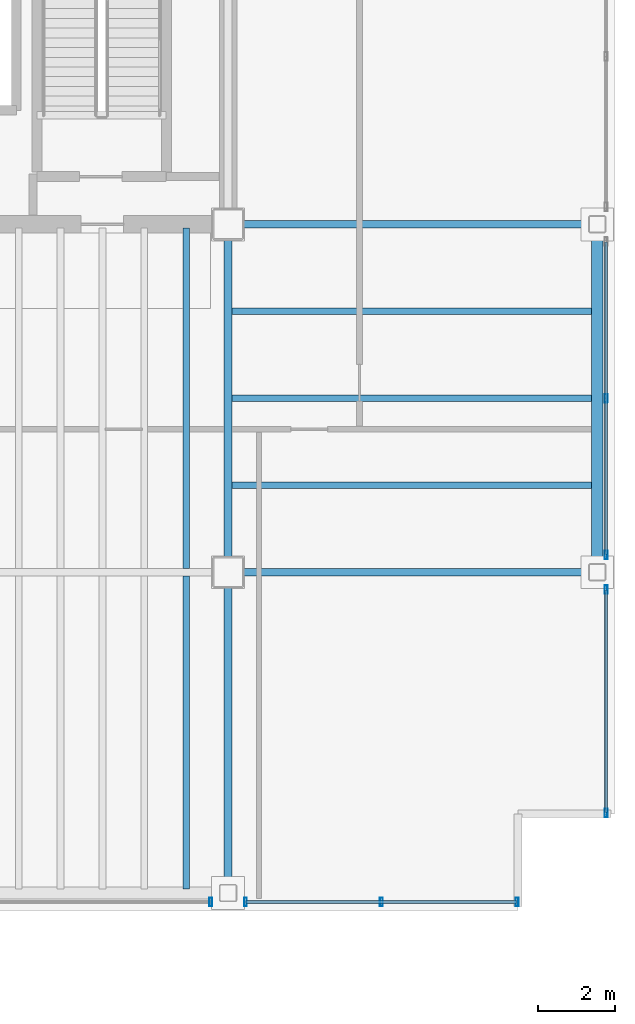
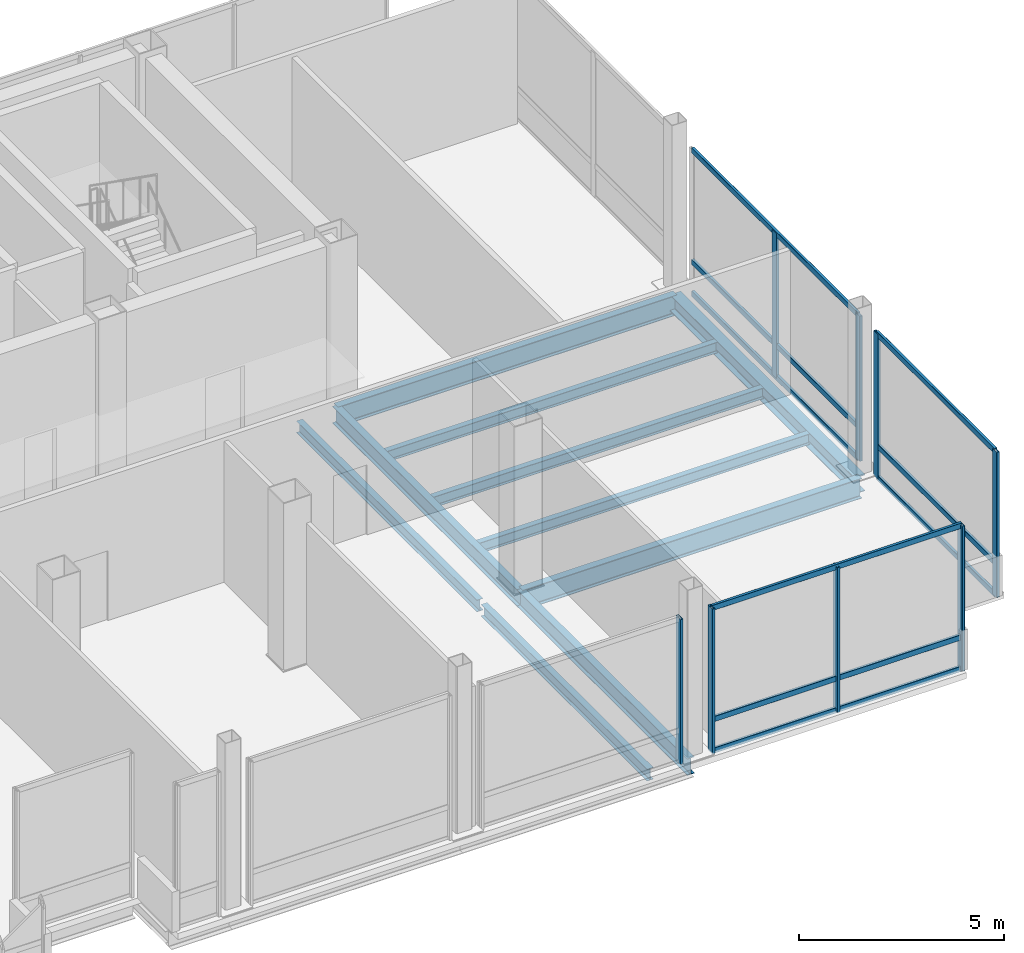
# One storey, part 10 of 15: 17 members, 10 beams, 4 elements without a shape of their own.
"""IFC4 building model written with IfcOpenShell, lengths in metres."""

from ifc_helpers import new_model, si_unit, direction, frame, origin, origin_2d, place, context, subcontext, project, spatial, hollow_rectangle, i_section, extrude, material, material_profile, profile_set, type_object, element, aggregate, save


model = new_model("IFC4")

# Units and contexts
model_context = context("Model", 3, precision=1e-05, world=origin(), true_north=direction((0.0, 1.0)))
body_context = subcontext(model_context, "Body", "Model", "MODEL_VIEW")
ifc_project = project(units=[si_unit("LENGTHUNIT", "METRE"), si_unit("AREAUNIT", "SQUARE_METRE"), si_unit("VOLUMEUNIT", "CUBIC_METRE"), si_unit("PLANEANGLEUNIT", "RADIAN"), si_unit("MASSUNIT", "GRAM", prefix="KILO")], contexts=[model_context])

# Site, building, storey
site_placement = place(None, origin())
site = spatial("IfcSite", under=ifc_project, at=site_placement, CompositionType="ELEMENT")
building_placement = place(site_placement, origin())
building = spatial("IfcBuilding", under=site, at=building_placement, Name="Noeulbin Bourse Tower", CompositionType="ELEMENT")
storey_placement = place(building_placement, frame((0.0, 0.0, 206.10009765625)))
storey = spatial("IfcBuildingStorey", under=building, at=storey_placement, Name="L51", CompositionType="ELEMENT", Elevation=206.10009765625)

# Beams
ifc_material_1 = material(Name="Steel S355", Category="steel")
ifc_material_profile_1 = material_profile(ifc_material_1, i_section(OverallWidth=0.199951171875, OverallDepth=0.5, WebThickness=0.010009765625, FlangeThickness=0.01611328125, FilletRadius=0.02001953125, at=origin_2d()), Name="H-500x200x10x16", Category="LoadBearing")
ifc_profile_set_1 = profile_set([ifc_material_profile_1], Name="Steel S355")
beam_type_1 = type_object("IfcBeamType", Name="BM-GRD-500", PredefinedType="USERDEFINED", material=ifc_profile_set_1)
beam_1_placement = place(storey_placement, frame((44.0, 11.699951171875, -0.43017578125), z_axis=(0.0, 1.0, 0.0), x_axis=(-1.0, 0.0, 0.0)))
element("IfcBeam", 1, at=beam_1_placement, inside=storey, type_object=beam_type_1, Name="Tower Primary Girder NS L51-5.1", ObjectType="GIRDER", PredefinedType="USERDEFINED", context=body_context, shape_type="SweptSolid", body=[
    extrude(i_section(OverallWidth=0.199951171875, OverallDepth=0.5, WebThickness=0.010009765625, FlangeThickness=0.01611328125, FilletRadius=0.02001953125, at=origin_2d()), origin(), (0.0, 0.0, 1.0), 8.300048828125),
])
beam_2_placement = place(storey_placement, frame((44.0, 20.0, -0.43017578125), z_axis=(0.0, 1.0, 0.0), x_axis=(-1.0, 0.0, 0.0)))
element("IfcBeam", 2, at=beam_2_placement, inside=storey, type_object=beam_type_1, Name="Tower Primary Girder NS L51-5.2", ObjectType="GIRDER", PredefinedType="USERDEFINED", context=body_context, shape_type="SweptSolid", body=[
    extrude(i_section(OverallWidth=0.199951171875, OverallDepth=0.5, WebThickness=0.010009765625, FlangeThickness=0.01611328125, FilletRadius=0.02001953125, at=origin_2d()), origin(), (0.0, 0.0, 1.0), 9.0),
])
ifc_material_profile_2 = material_profile(ifc_material_1, i_section(OverallWidth=0.199951171875, OverallDepth=0.60009765625, WebThickness=0.010986328125, FlangeThickness=0.01708984375, FilletRadius=0.02197265625, at=origin_2d()), Name="H-600x200x11x17", Category="LoadBearing")
ifc_profile_set_2 = profile_set([ifc_material_profile_2], Name="Steel S355")
beam_type_2 = type_object("IfcBeamType", Name="BM-GRD-600", PredefinedType="USERDEFINED", material=ifc_profile_set_2)
for number, where, z_axis, x_axis, name in (
    (3, (44.0, 20.0, -0.47998046875), (1.0, 0.0, 0.0), (0.0, 1.0, 0.0), "Tower Primary Girder EW L51-1.6"),
    (4, (44.0, 29.0, -0.47998046875), (1.0, 0.0, 0.0), (0.0, 1.0, 0.0), "Tower Primary Girder EW L51-2.6"),
):
    element("IfcBeam", number, at=place(storey_placement, frame(where, z_axis=z_axis, x_axis=x_axis)), inside=storey, type_object=beam_type_2, Name=name, ObjectType="GIRDER", PredefinedType="USERDEFINED", context=body_context, shape_type="SweptSolid", body=[
        extrude(i_section(OverallWidth=0.199951171875, OverallDepth=0.60009765625, WebThickness=0.010986328125, FlangeThickness=0.01708984375, FilletRadius=0.02197265625, at=origin_2d()), origin(), (0.0, 0.0, 1.0), 9.550048828125),
    ])
ifc_material_profile_3 = material_profile(ifc_material_1, i_section(OverallWidth=0.159912109375, OverallDepth=0.320068359375, WebThickness=0.006591796875, FlangeThickness=0.010009765625, FilletRadius=0.012939453125, at=origin_2d()), Name="H-320x160x6.5x10", Category="LoadBearing")
ifc_profile_set_3 = profile_set([ifc_material_profile_3], Name="Steel S355")
beam_type_3 = type_object("IfcBeamType", Name="BM-JST-320", PredefinedType="JOIST", material=ifc_profile_set_3)
for number, where, z_axis, x_axis, name in (
    (5, (44.10009765625, 22.25, -0.340087890625), (1.0, 0.0, 0.0), (0.0, 1.0, 0.0), "Wing Composite Joist L51-E50"),
    (6, (44.10009765625, 24.5, -0.340087890625), (1.0, 0.0, 0.0), (0.0, 1.0, 0.0), "Wing Composite Joist L51-E51"),
    (7, (44.10009765625, 26.75, -0.340087890625), (1.0, 0.0, 0.0), (0.0, 1.0, 0.0), "Wing Composite Joist L51-E52"),
):
    element("IfcBeam", number, at=place(storey_placement, frame(where, z_axis=z_axis, x_axis=x_axis)), inside=storey, type_object=beam_type_3, Name=name, PredefinedType="JOIST", context=body_context, shape_type="SweptSolid", body=[
        extrude(i_section(OverallWidth=0.159912109375, OverallDepth=0.320068359375, WebThickness=0.006591796875, FlangeThickness=0.010009765625, FilletRadius=0.012939453125, at=origin_2d()), origin(), (0.0, 0.0, 1.0), 9.2998046875),
    ])
ifc_material_profile_4 = material_profile(ifc_material_1, i_section(OverallWidth=0.175048828125, OverallDepth=0.35009765625, WebThickness=0.007080078125, FlangeThickness=0.010986328125, FilletRadius=0.013916015625, at=origin_2d()), Name="H-350x175x7x11", Category="LoadBearing")
ifc_profile_set_4 = profile_set([ifc_material_profile_4], Name="Steel S355")
beam_type_4 = type_object("IfcBeamType", Name="BM-JST-350", PredefinedType="JOIST", material=ifc_profile_set_4)
beam_3_placement = place(storey_placement, frame((42.916748046875, 11.800048828125, -0.35498046875), z_axis=(0.0, 1.0, 0.0), x_axis=(-1.0, 0.0, 0.0)))
element("IfcBeam", 8, at=beam_3_placement, inside=storey, type_object=beam_type_4, Name="Tower Composite Joist L51-45", PredefinedType="JOIST", context=body_context, shape_type="SweptSolid", body=[
    extrude(i_section(OverallWidth=0.175048828125, OverallDepth=0.35009765625, WebThickness=0.007080078125, FlangeThickness=0.010986328125, FilletRadius=0.013916015625, at=origin_2d()), origin(), (0.0, 0.0, 1.0), 8.099853515625),
])
beam_4_placement = place(storey_placement, frame((42.916748046875, 20.10009765625, -0.35498046875), z_axis=(0.0, 1.0, 0.0), x_axis=(-1.0, 0.0, 0.0)))
element("IfcBeam", 9, at=beam_4_placement, inside=storey, type_object=beam_type_4, Name="Tower Composite Joist L51-46", PredefinedType="JOIST", context=body_context, shape_type="SweptSolid", body=[
    extrude(i_section(OverallWidth=0.175048828125, OverallDepth=0.35009765625, WebThickness=0.007080078125, FlangeThickness=0.010986328125, FilletRadius=0.013916015625, at=origin_2d()), origin(), (0.0, 0.0, 1.0), 8.7998046875),
])
ifc_material_profile_5 = material_profile(ifc_material_1, i_section(OverallWidth=0.300048828125, OverallDepth=0.488037109375, WebThickness=0.010986328125, FlangeThickness=0.01806640625, FilletRadius=0.02197265625, at=origin_2d()), Name="H-488x300x11x18", Category="LoadBearing")
ifc_profile_set_5 = profile_set([ifc_material_profile_5], Name="Steel S355")
beam_type_5 = type_object("IfcBeamType", Name="BM-SPN-488", PredefinedType="SPANDREL", material=ifc_profile_set_5)
beam_5_placement = place(storey_placement, frame((53.550048828125, 20.0, -0.424072265625), z_axis=(0.0, 1.0, 0.0), x_axis=(-1.0, 0.0, 0.0)))
element("IfcBeam", 10, at=beam_5_placement, inside=storey, type_object=beam_type_5, Name="East Spandrel L51-1", PredefinedType="SPANDREL", context=body_context, shape_type="SweptSolid", body=[
    extrude(i_section(OverallWidth=0.300048828125, OverallDepth=0.488037109375, WebThickness=0.010986328125, FlangeThickness=0.01806640625, FilletRadius=0.02197265625, at=origin_2d()), origin(), (0.0, 0.0, 1.0), 9.0),
])

# Curtain wall, member
ifc_material_2 = material(Name="High-Selectivity Low-Iron Glazing", Category="glass")
curtain_wall_type = type_object("IfcCurtainWallType", Name="CW-SYS-4", PredefinedType="NOTDEFINED", material=ifc_material_2)
curtain_wall_1_placement = place(storey_placement, origin())
curtain_wall_1 = element("IfcCurtainWall", 11, at=curtain_wall_1_placement, inside=storey, type_object=curtain_wall_type, Name="Unitised Curtain Wall CW-L51-S3-S3", PredefinedType="NOTDEFINED")
ifc_material_3 = material(Name="Anodised Aluminium 6063-T6", Category="aluminium")
ifc_material_profile_6 = material_profile(ifc_material_3, hollow_rectangle(XDim=0.074951171875, YDim=0.219970703125, WallThickness=0.0048828125, InnerFilletRadius=0.00244140625, OuterFilletRadius=0.0048828125, at=origin_2d()), Name="ALU-MULL-75x220x5", Category="LoadBearing")
ifc_profile_set_6 = profile_set([ifc_material_profile_6], Name="Anodised Aluminium 6063-T6")
member_type_1 = type_object("IfcMemberType", Name="CW-SYS-4-MUL", PredefinedType="MULLION", material=ifc_profile_set_6)
member_1_placement = place(storey_placement, frame((43.550048828125, 11.469970703125, -0.02001953125), z_axis=(0.0, 0.0, 1.0), x_axis=(1.0, 0.0, 0.0)))
member_1 = element("IfcMember", 12, at=member_1_placement, type_object=member_type_1, Name="Curtain Wall Mullion CW-L51-S3-S3-M01", PredefinedType="MULLION", context=body_context, shape_type="SweptSolid", body=[
    extrude(hollow_rectangle(XDim=0.074951171875, YDim=0.219970703125, WallThickness=0.0048828125, InnerFilletRadius=0.00244140625, OuterFilletRadius=0.0048828125, at=origin_2d()), origin(), (0.0, 0.0, 1.0), 4.31982421875),
])
aggregate(curtain_wall_1, [member_1])

# Curtain wall, members
curtain_wall_2_placement = place(storey_placement, origin())
curtain_wall_2 = element("IfcCurtainWall", 13, at=curtain_wall_2_placement, inside=storey, type_object=curtain_wall_type, Name="Unitised Curtain Wall CW-L51-S3-S4", PredefinedType="NOTDEFINED")
member_2_placement = place(storey_placement, frame((44.449951171875, 11.469970703125, -0.02001953125), z_axis=(0.0, 0.0, 1.0), x_axis=(1.0, 0.0, 0.0)))
member_2 = element("IfcMember", 14, at=member_2_placement, type_object=member_type_1, Name="Curtain Wall Mullion CW-L51-S3-S4-M00", PredefinedType="MULLION", context=body_context, shape_type="SweptSolid", body=[
    extrude(hollow_rectangle(XDim=0.074951171875, YDim=0.219970703125, WallThickness=0.0048828125, InnerFilletRadius=0.00244140625, OuterFilletRadius=0.0048828125, at=origin_2d()), origin(), (0.0, 0.0, 1.0), 4.31982421875),
])
member_3_placement = place(storey_placement, frame((47.965087890625, 11.469970703125, -0.02001953125), z_axis=(0.0, 0.0, 1.0), x_axis=(1.0, 0.0, 0.0)))
member_3 = element("IfcMember", 15, at=member_3_placement, type_object=member_type_1, Name="Curtain Wall Mullion CW-L51-S3-S4-M01", PredefinedType="MULLION", context=body_context, shape_type="SweptSolid", body=[
    extrude(hollow_rectangle(XDim=0.074951171875, YDim=0.219970703125, WallThickness=0.0048828125, InnerFilletRadius=0.00244140625, OuterFilletRadius=0.0048828125, at=origin_2d()), origin(), (0.0, 0.0, 1.0), 4.31982421875),
])
member_4_placement = place(storey_placement, frame((51.47998046875, 11.469970703125, -0.02001953125), z_axis=(0.0, 0.0, 1.0), x_axis=(1.0, 0.0, 0.0)))
member_4 = element("IfcMember", 16, at=member_4_placement, type_object=member_type_1, Name="Curtain Wall Mullion CW-L51-S3-S4-M02", PredefinedType="MULLION", context=body_context, shape_type="SweptSolid", body=[
    extrude(hollow_rectangle(XDim=0.074951171875, YDim=0.219970703125, WallThickness=0.0048828125, InnerFilletRadius=0.00244140625, OuterFilletRadius=0.0048828125, at=origin_2d()), origin(), (0.0, 0.0, 1.0), 4.31982421875),
])

curtain_wall_3_placement = place(storey_placement, origin())
curtain_wall_3 = element("IfcCurtainWall", 17, at=curtain_wall_3_placement, inside=storey, type_object=curtain_wall_type, Name="Unitised Curtain Wall CW-L51-E-S1", PredefinedType="NOTDEFINED")
member_5_placement = place(storey_placement, frame((53.780029296875, 13.77001953125, -0.02001953125), z_axis=(0.0, 0.0, 1.0), x_axis=(1.0, 0.0, 0.0)))
member_5 = element("IfcMember", 18, at=member_5_placement, type_object=member_type_1, Name="Curtain Wall Mullion CW-L51-E-S1-M00", PredefinedType="MULLION", context=body_context, shape_type="SweptSolid", body=[
    extrude(hollow_rectangle(XDim=0.074951171875, YDim=0.219970703125, WallThickness=0.0048828125, InnerFilletRadius=0.00244140625, OuterFilletRadius=0.0048828125, at=origin_2d()), origin(), (0.0, 0.0, 1.0), 4.31982421875),
])
member_6_placement = place(storey_placement, frame((53.780029296875, 19.550048828125, -0.02001953125), z_axis=(0.0, 0.0, 1.0), x_axis=(1.0, 0.0, 0.0)))
member_6 = element("IfcMember", 19, at=member_6_placement, type_object=member_type_1, Name="Curtain Wall Mullion CW-L51-E-S1-M01", PredefinedType="MULLION", context=body_context, shape_type="SweptSolid", body=[
    extrude(hollow_rectangle(XDim=0.074951171875, YDim=0.219970703125, WallThickness=0.0048828125, InnerFilletRadius=0.00244140625, OuterFilletRadius=0.0048828125, at=origin_2d()), origin(), (0.0, 0.0, 1.0), 4.31982421875),
])

curtain_wall_4_placement = place(storey_placement, origin())
curtain_wall_4 = element("IfcCurtainWall", 20, at=curtain_wall_4_placement, inside=storey, type_object=curtain_wall_type, Name="Unitised Curtain Wall CW-L51-E-S2", PredefinedType="NOTDEFINED")
member_7_placement = place(storey_placement, frame((53.780029296875, 20.449951171875, -0.02001953125), z_axis=(0.0, 0.0, 1.0), x_axis=(1.0, 0.0, 0.0)))
member_7 = element("IfcMember", 21, at=member_7_placement, type_object=member_type_1, Name="Curtain Wall Mullion CW-L51-E-S2-M00", PredefinedType="MULLION", context=body_context, shape_type="SweptSolid", body=[
    extrude(hollow_rectangle(XDim=0.074951171875, YDim=0.219970703125, WallThickness=0.0048828125, InnerFilletRadius=0.00244140625, OuterFilletRadius=0.0048828125, at=origin_2d()), origin(), (0.0, 0.0, 1.0), 4.31982421875),
])
member_8_placement = place(storey_placement, frame((53.780029296875, 24.5, -0.02001953125), z_axis=(0.0, 0.0, 1.0), x_axis=(1.0, 0.0, 0.0)))
member_8 = element("IfcMember", 22, at=member_8_placement, type_object=member_type_1, Name="Curtain Wall Mullion CW-L51-E-S2-M01", PredefinedType="MULLION", context=body_context, shape_type="SweptSolid", body=[
    extrude(hollow_rectangle(XDim=0.074951171875, YDim=0.219970703125, WallThickness=0.0048828125, InnerFilletRadius=0.00244140625, OuterFilletRadius=0.0048828125, at=origin_2d()), origin(), (0.0, 0.0, 1.0), 4.31982421875),
])

# Member
ifc_material_profile_7 = material_profile(ifc_material_3, hollow_rectangle(XDim=0.074951171875, YDim=0.159912109375, WallThickness=0.0048828125, InnerFilletRadius=0.00244140625, OuterFilletRadius=0.0048828125, at=origin_2d()), Name="ALU-TRAN-75x160x5", Category="LoadBearing")
ifc_profile_set_7 = profile_set([ifc_material_profile_7], Name="Anodised Aluminium 6063-T6")
member_type_2 = type_object("IfcMemberType", Name="CW-SYS-4-TRN", PredefinedType="USERDEFINED", material=ifc_profile_set_7)
member_9_placement = place(storey_placement, frame((44.4599609375, 11.469970703125, 0.010009765625), z_axis=(1.0, 0.0, 0.0), x_axis=(0.0, 1.0, 0.0)))
member_9 = element("IfcMember", 23, at=member_9_placement, type_object=member_type_2, Name="Curtain Wall Transom CW-L51-S3-S4-T00", ObjectType="TRANSOM", PredefinedType="USERDEFINED", context=body_context, shape_type="SweptSolid", body=[
    extrude(hollow_rectangle(XDim=0.074951171875, YDim=0.159912109375, WallThickness=0.0048828125, InnerFilletRadius=0.00244140625, OuterFilletRadius=0.0048828125, at=origin_2d()), origin(), (0.0, 0.0, 1.0), 7.010009765625),
])

member_10_placement = place(storey_placement, frame((44.4599609375, 11.469970703125, 0.949951171875), z_axis=(1.0, 0.0, 0.0), x_axis=(0.0, 1.0, 0.0)))
member_10 = element("IfcMember", 24, at=member_10_placement, type_object=member_type_2, Name="Curtain Wall Transom CW-L51-S3-S4-T01", ObjectType="TRANSOM", PredefinedType="USERDEFINED", context=body_context, shape_type="SweptSolid", body=[
    extrude(hollow_rectangle(XDim=0.074951171875, YDim=0.159912109375, WallThickness=0.0048828125, InnerFilletRadius=0.00244140625, OuterFilletRadius=0.0048828125, at=origin_2d()), origin(), (0.0, 0.0, 1.0), 7.010009765625),
])

member_11_placement = place(storey_placement, frame((44.4599609375, 11.469970703125, 4.27001953125), z_axis=(1.0, 0.0, 0.0), x_axis=(0.0, 1.0, 0.0)))
member_11 = element("IfcMember", 25, at=member_11_placement, type_object=member_type_2, Name="Curtain Wall Transom CW-L51-S3-S4-T02", ObjectType="TRANSOM", PredefinedType="USERDEFINED", context=body_context, shape_type="SweptSolid", body=[
    extrude(hollow_rectangle(XDim=0.074951171875, YDim=0.159912109375, WallThickness=0.0048828125, InnerFilletRadius=0.00244140625, OuterFilletRadius=0.0048828125, at=origin_2d()), origin(), (0.0, 0.0, 1.0), 7.010009765625),
])

aggregate(curtain_wall_2, [member_2, member_3, member_4, member_9, member_10, member_11])

member_12_placement = place(storey_placement, frame((53.780029296875, 13.780029296875, 0.010009765625), z_axis=(0.0, 1.0, 0.0), x_axis=(-1.0, 0.0, 0.0)))
member_12 = element("IfcMember", 26, at=member_12_placement, type_object=member_type_2, Name="Curtain Wall Transom CW-L51-E-S1-T00", ObjectType="TRANSOM", PredefinedType="USERDEFINED", context=body_context, shape_type="SweptSolid", body=[
    extrude(hollow_rectangle(XDim=0.074951171875, YDim=0.159912109375, WallThickness=0.0048828125, InnerFilletRadius=0.00244140625, OuterFilletRadius=0.0048828125, at=origin_2d()), origin(), (0.0, 0.0, 1.0), 5.760009765625),
])

member_13_placement = place(storey_placement, frame((53.780029296875, 13.780029296875, 0.949951171875), z_axis=(0.0, 1.0, 0.0), x_axis=(-1.0, 0.0, 0.0)))
member_13 = element("IfcMember", 27, at=member_13_placement, type_object=member_type_2, Name="Curtain Wall Transom CW-L51-E-S1-T01", ObjectType="TRANSOM", PredefinedType="USERDEFINED", context=body_context, shape_type="SweptSolid", body=[
    extrude(hollow_rectangle(XDim=0.074951171875, YDim=0.159912109375, WallThickness=0.0048828125, InnerFilletRadius=0.00244140625, OuterFilletRadius=0.0048828125, at=origin_2d()), origin(), (0.0, 0.0, 1.0), 5.760009765625),
])

member_14_placement = place(storey_placement, frame((53.780029296875, 13.780029296875, 4.27001953125), z_axis=(0.0, 1.0, 0.0), x_axis=(-1.0, 0.0, 0.0)))
member_14 = element("IfcMember", 28, at=member_14_placement, type_object=member_type_2, Name="Curtain Wall Transom CW-L51-E-S1-T02", ObjectType="TRANSOM", PredefinedType="USERDEFINED", context=body_context, shape_type="SweptSolid", body=[
    extrude(hollow_rectangle(XDim=0.074951171875, YDim=0.159912109375, WallThickness=0.0048828125, InnerFilletRadius=0.00244140625, OuterFilletRadius=0.0048828125, at=origin_2d()), origin(), (0.0, 0.0, 1.0), 5.760009765625),
])

aggregate(curtain_wall_3, [member_5, member_6, member_12, member_13, member_14])

member_15_placement = place(storey_placement, frame((53.780029296875, 20.4599609375, 0.010009765625), z_axis=(0.0, 1.0, 0.0), x_axis=(-1.0, 0.0, 0.0)))
member_15 = element("IfcMember", 29, at=member_15_placement, type_object=member_type_2, Name="Curtain Wall Transom CW-L51-E-S2-T00", ObjectType="TRANSOM", PredefinedType="USERDEFINED", context=body_context, shape_type="SweptSolid", body=[
    extrude(hollow_rectangle(XDim=0.074951171875, YDim=0.159912109375, WallThickness=0.0048828125, InnerFilletRadius=0.00244140625, OuterFilletRadius=0.0048828125, at=origin_2d()), origin(), (0.0, 0.0, 1.0), 8.080078125),
])

member_16_placement = place(storey_placement, frame((53.780029296875, 20.4599609375, 0.949951171875), z_axis=(0.0, 1.0, 0.0), x_axis=(-1.0, 0.0, 0.0)))
member_16 = element("IfcMember", 30, at=member_16_placement, type_object=member_type_2, Name="Curtain Wall Transom CW-L51-E-S2-T01", ObjectType="TRANSOM", PredefinedType="USERDEFINED", context=body_context, shape_type="SweptSolid", body=[
    extrude(hollow_rectangle(XDim=0.074951171875, YDim=0.159912109375, WallThickness=0.0048828125, InnerFilletRadius=0.00244140625, OuterFilletRadius=0.0048828125, at=origin_2d()), origin(), (0.0, 0.0, 1.0), 8.080078125),
])

member_17_placement = place(storey_placement, frame((53.780029296875, 20.4599609375, 4.27001953125), z_axis=(0.0, 1.0, 0.0), x_axis=(-1.0, 0.0, 0.0)))
member_17 = element("IfcMember", 31, at=member_17_placement, type_object=member_type_2, Name="Curtain Wall Transom CW-L51-E-S2-T02", ObjectType="TRANSOM", PredefinedType="USERDEFINED", context=body_context, shape_type="SweptSolid", body=[
    extrude(hollow_rectangle(XDim=0.074951171875, YDim=0.159912109375, WallThickness=0.0048828125, InnerFilletRadius=0.00244140625, OuterFilletRadius=0.0048828125, at=origin_2d()), origin(), (0.0, 0.0, 1.0), 8.080078125),
])

aggregate(curtain_wall_4, [member_7, member_8, member_15, member_16, member_17])

save(model, "model.ifc")
